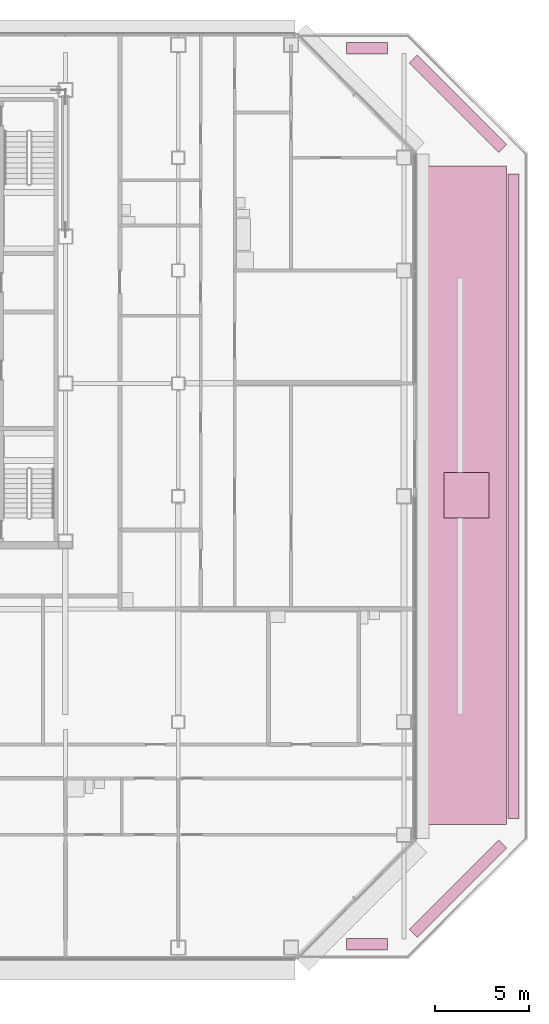
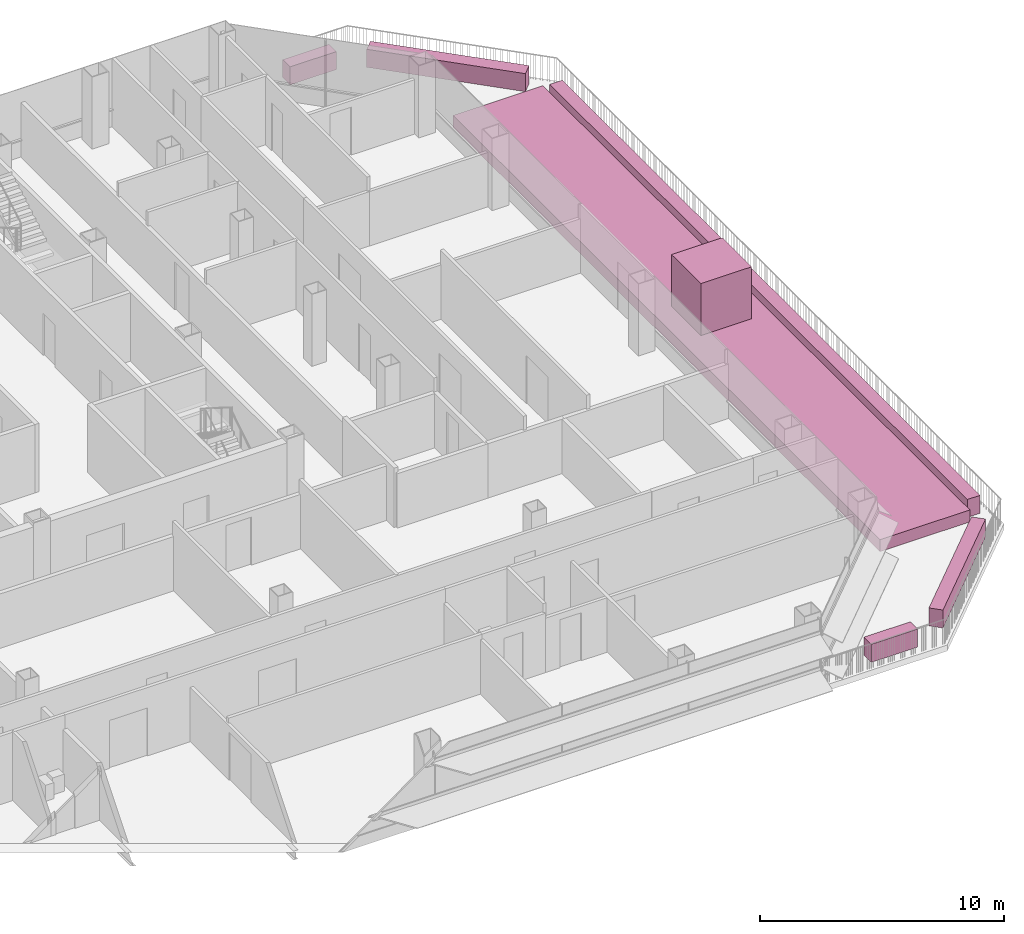
# One storey, part 28 of 28: 7 furniture elements.
"""IFC4 building model written with IfcOpenShell, lengths in metres."""

from ifc_helpers import new_model, si_unit, direction, frame, origin, origin_2d, place, context, subcontext, project, spatial, rectangle, extrude, material, type_object, element, save


model = new_model("IFC4")

# Units and contexts
model_context = context("Model", 3, precision=1e-05, world=origin(), true_north=direction((0.0, 1.0)))
body_context = subcontext(model_context, "Body", "Model", "MODEL_VIEW")
ifc_project = project(units=[si_unit("LENGTHUNIT", "METRE"), si_unit("AREAUNIT", "SQUARE_METRE"), si_unit("VOLUMEUNIT", "CUBIC_METRE"), si_unit("PLANEANGLEUNIT", "RADIAN"), si_unit("MASSUNIT", "GRAM", prefix="KILO")], contexts=[model_context])

# Site, building, storey
site_placement = place(None, origin())
site = spatial("IfcSite", under=ifc_project, at=site_placement, CompositionType="ELEMENT")
building_placement = place(site_placement, origin())
building = spatial("IfcBuilding", under=site, at=building_placement, Name="Sorahane Residences", CompositionType="ELEMENT")
storey_placement = place(building_placement, frame((0.0, 0.0, 96.199951171875)))
storey = spatial("IfcBuildingStorey", under=building, at=storey_placement, Name="L20", CompositionType="ELEMENT", Elevation=96.199951171875)

# Furniture
ifc_material_1 = material(Name="Planting soil with shrubs in a steel-framed bed", Category="steel")
furniture_type_1 = type_object("IfcFurnitureType", Name="PLANTER bed black steel frame with soil 4250x35000", AssemblyPlace="NOTDEFINED", PredefinedType="NOTDEFINED", material=ifc_material_1)
furniture_1_placement = place(storey_placement, frame((63.324951171875, 24.050048828125, 0.0), z_axis=(0.0, 0.0, 1.0), x_axis=(1.0, 0.0, 0.0)))
element("IfcFurniture", 1, at=furniture_1_placement, inside=storey, type_object=furniture_type_1, Name="PLANTER bed L19.1.1", PredefinedType="NOTDEFINED", context=body_context, shape_type="SweptSolid", body=[
    extrude(rectangle(XDim=4.25, YDim=35.0, at=origin_2d()), origin(), (0.0, 0.0, 1.0), 0.60009765625),
])
ifc_material_2 = material(Name="Planting soil with hedge in a steel-framed trough", Category="steel")
furniture_type_2 = type_object("IfcFurnitureType", Name="PLANTER hedge strip black steel frame with soil", AssemblyPlace="NOTDEFINED", PredefinedType="NOTDEFINED", material=ifc_material_2)
furniture_2_placement = place(storey_placement, frame((58.028564453125, 47.820068359375, 0.0), z_axis=(0.0, 0.0, 1.0), x_axis=(1.0, 0.0, 0.0)))
element("IfcFurniture", 2, at=furniture_2_placement, inside=storey, type_object=furniture_type_2, Name="PLANTER hedge L19.1.1", PredefinedType="NOTDEFINED", context=body_context, shape_type="SweptSolid", body=[
    extrude(rectangle(XDim=2.19384765625, YDim=0.60009765625, at=origin_2d()), origin(), (0.0, 0.0, 1.0), 0.89990234375),
])
furniture_3_placement = place(storey_placement, frame((62.872802734375, 44.872802734375, 0.0), z_axis=(0.0, 0.0, 1.0), x_axis=(0.707106781187, -0.707106781187, 0.0)))
element("IfcFurniture", 3, at=furniture_3_placement, inside=storey, type_object=furniture_type_2, Name="PLANTER hedge L19.1.2", PredefinedType="NOTDEFINED", context=body_context, shape_type="SweptSolid", body=[
    extrude(rectangle(XDim=6.736083984375, YDim=0.60009765625, at=origin_2d()), origin(), (0.0, 0.0, 1.0), 0.89990234375),
])
furniture_4_placement = place(storey_placement, frame((65.820068359375, 24.0, 0.0), z_axis=(0.0, 0.0, 1.0), x_axis=(0.0, -1.0, 0.0)))
element("IfcFurniture", 4, at=furniture_4_placement, inside=storey, type_object=furniture_type_2, Name="PLANTER hedge L19.1.3", PredefinedType="NOTDEFINED", context=body_context, shape_type="SweptSolid", body=[
    extrude(rectangle(XDim=34.2509765625, YDim=0.60009765625, at=origin_2d()), origin(), (0.0, 0.0, 1.0), 0.89990234375),
])
furniture_5_placement = place(storey_placement, frame((62.872802734375, 3.127197265625, 0.0), z_axis=(0.0, 0.0, 1.0), x_axis=(-0.707106781187, -0.707106781187, 0.0)))
element("IfcFurniture", 5, at=furniture_5_placement, inside=storey, type_object=furniture_type_2, Name="PLANTER hedge L19.1.4", PredefinedType="NOTDEFINED", context=body_context, shape_type="SweptSolid", body=[
    extrude(rectangle(XDim=6.736083984375, YDim=0.60009765625, at=origin_2d()), origin(), (0.0, 0.0, 1.0), 0.89990234375),
])
furniture_6_placement = place(storey_placement, frame((58.028564453125, 0.179931640625, 0.0), z_axis=(0.0, 0.0, 1.0), x_axis=(-1.0, 0.0, 0.0)))
element("IfcFurniture", 6, at=furniture_6_placement, inside=storey, type_object=furniture_type_2, Name="PLANTER hedge L19.1.5", PredefinedType="NOTDEFINED", context=body_context, shape_type="SweptSolid", body=[
    extrude(rectangle(XDim=2.19384765625, YDim=0.60009765625, at=origin_2d()), origin(), (0.0, 0.0, 1.0), 0.89990234375),
])
ifc_material_3 = material(Name="Green foliage shrub planting")
furniture_type_3 = type_object("IfcFurnitureType", Name="PLANTER shrub planting green foliage", AssemblyPlace="NOTDEFINED", PredefinedType="NOTDEFINED", material=ifc_material_3)
furniture_7_placement = place(storey_placement, frame((63.324951171875, 24.050048828125, 0.60009765625), z_axis=(0.0, 0.0, 1.0), x_axis=(1.0, 0.0, 0.0)))
element("IfcFurniture", 7, at=furniture_7_placement, inside=storey, type_object=furniture_type_3, Name="PLANTER shrub L19.1.1", PredefinedType="NOTDEFINED", context=body_context, shape_type="SweptSolid", body=[
    extrude(rectangle(XDim=2.39990234375, YDim=2.39990234375, at=origin_2d()), origin(), (0.0, 0.0, 1.0), 2.60009765625),
])

save(model, "model.ifc")
